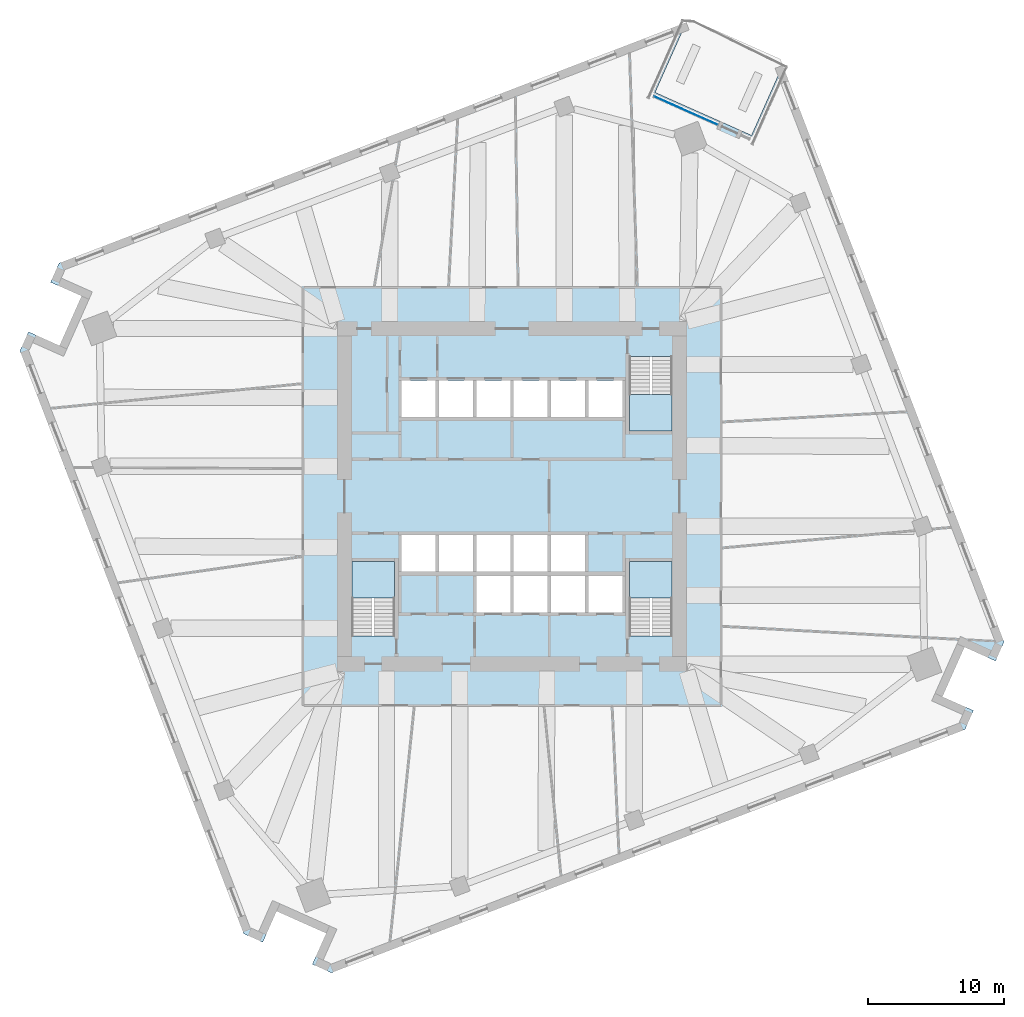
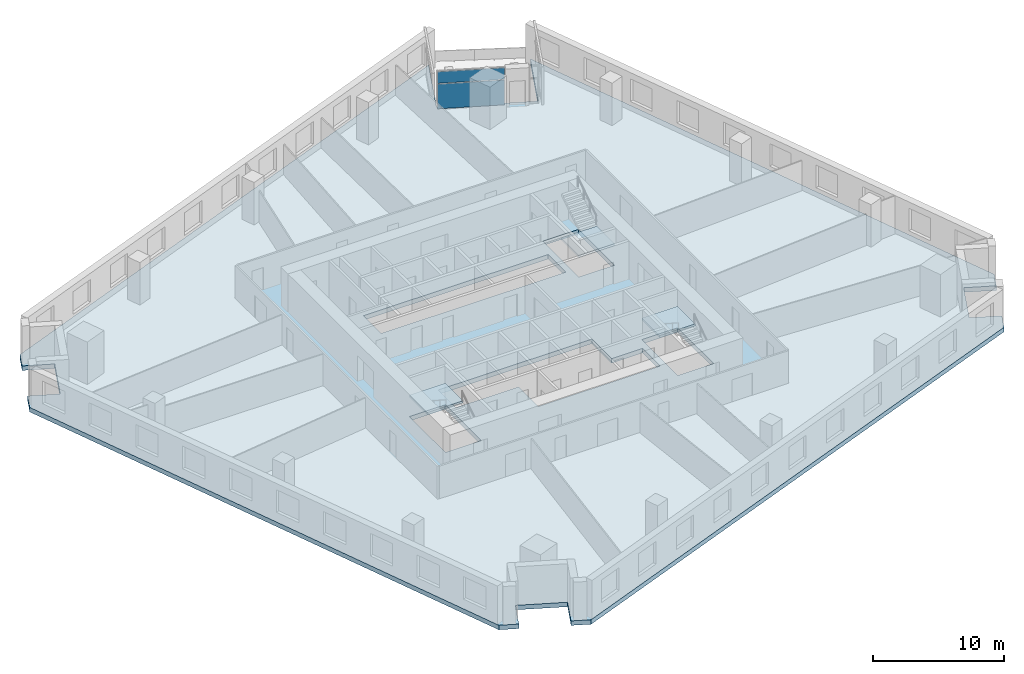
# One storey, part 5 of 14: 4 slabs, 2 plates, 4 elements without a shape of their own.
"""IFC4 building model written with IfcOpenShell, lengths in metres."""

from ifc_helpers import new_model, si_unit, direction, frame, origin, origin_2d, place, context, subcontext, project, spatial, polyline, rectangle, outline, extrude, material, layer, layer_set, type_object, element, aggregate, save


model = new_model("IFC4")

# Units and contexts
model_context = context("Model", 3, precision=1e-05, world=origin(), true_north=direction((0.0, 1.0)))
body_context = subcontext(model_context, "Body", "Model", "MODEL_VIEW")
ifc_project = project(units=[si_unit("LENGTHUNIT", "METRE"), si_unit("AREAUNIT", "SQUARE_METRE"), si_unit("VOLUMEUNIT", "CUBIC_METRE"), si_unit("PLANEANGLEUNIT", "RADIAN"), si_unit("MASSUNIT", "GRAM", prefix="KILO")], contexts=[model_context])

# Site, building, storey
site_placement = place(None, origin())
site = spatial("IfcSite", under=ifc_project, at=site_placement, CompositionType="ELEMENT")
building_placement = place(site_placement, origin())
building = spatial("IfcBuilding", under=site, at=building_placement, Name="Dilmun Exchange Tower", CompositionType="ELEMENT")
storey_placement = place(building_placement, frame((0.0, 0.0, 110.10009765625)))
storey = spatial("IfcBuildingStorey", under=building, at=storey_placement, Name="L25", CompositionType="ELEMENT", Elevation=110.10009765625)

# Stair, slab
ifc_material_1 = material(Name="Concrete C40/50", Category="concrete")
stair_type = type_object("IfcStairType", Name="Exit stair 1500 half-turn", PredefinedType="HALF_TURN_STAIR", material=ifc_material_1)
stair_1_placement = place(storey_placement, origin())
stair_1 = element("IfcStair", 1, at=stair_1_placement, inside=storey, type_object=stair_type, Name="L25 Protected exit stair ST1", PredefinedType="HALF_TURN_STAIR")
ifc_layer_1 = layer(ifc_material_1, 0.199951171875)
ifc_layer_set_1 = layer_set([ifc_layer_1], Name="Concrete C40/50")
slab_type_1 = type_object("IfcSlabType", Name="Exit stair landing 200", PredefinedType="LANDING", material=ifc_layer_set_1)
slab_1_placement = place(storey_placement, frame((0.0, 0.0, 1.7998046875)))
slab_1 = element("IfcSlab", 2, at=slab_1_placement, type_object=slab_type_1, Name="ST1 landing 1", PredefinedType="LANDING", context=body_context, shape_type="SweptSolid", body=[
    extrude(outline(polyline([(8.64990234375, 7.5), (8.64990234375, 4.800048828125), (11.800048828125, 4.800048828125), (11.800048828125, 7.5), (8.64990234375, 7.5)])), origin(), (0.0, 0.0, 1.0), 0.2001953125),
])
aggregate(stair_1, [slab_1])

stair_2_placement = place(storey_placement, origin())
stair_2 = element("IfcStair", 3, at=stair_2_placement, inside=storey, type_object=stair_type, Name="L25 Protected exit stair ST2", PredefinedType="HALF_TURN_STAIR")
slab_2_placement = place(storey_placement, frame((0.0, 0.0, 1.7998046875)))
slab_2 = element("IfcSlab", 4, at=slab_2_placement, type_object=slab_type_1, Name="ST2 landing 1", PredefinedType="LANDING", context=body_context, shape_type="SweptSolid", body=[
    extrude(outline(polyline([(-8.64990234375, -7.5), (-8.64990234375, -4.800048828125), (-11.800048828125, -4.800048828125), (-11.800048828125, -7.5), (-8.64990234375, -7.5)])), origin(), (0.0, 0.0, 1.0), 0.2001953125),
])
aggregate(stair_2, [slab_2])

stair_3_placement = place(storey_placement, origin())
stair_3 = element("IfcStair", 5, at=stair_3_placement, inside=storey, type_object=stair_type, Name="L25 Protected exit stair ST3", PredefinedType="HALF_TURN_STAIR")
slab_3_placement = place(storey_placement, frame((0.0, 0.0, 1.7998046875)))
slab_3 = element("IfcSlab", 6, at=slab_3_placement, type_object=slab_type_1, Name="ST3 landing 1", PredefinedType="LANDING", context=body_context, shape_type="SweptSolid", body=[
    extrude(outline(polyline([(11.800048828125, -7.5), (11.800048828125, -4.800048828125), (8.64990234375, -4.800048828125), (8.64990234375, -7.5), (11.800048828125, -7.5)])), origin(), (0.0, 0.0, 1.0), 0.2001953125),
])
aggregate(stair_3, [slab_3])

# Curtain wall, plates
ifc_material_2 = material(Name="Anodised aluminium and clear glass", Category="aluminium")
curtain_wall_type = type_object("IfcCurtainWallType", Name="Garden corner glazing", PredefinedType="NOTDEFINED", material=ifc_material_2)
curtain_wall_placement = place(storey_placement, origin())
curtain_wall = element("IfcCurtainWall", 7, at=curtain_wall_placement, inside=storey, type_object=curtain_wall_type, Name="Garden corner glazing run GC2.3", PredefinedType="NOTDEFINED")
ifc_material_3 = material(Name="Clear glass", Category="glass")
ifc_layer_2 = layer(ifc_material_3, 0.028076171875)
ifc_layer_set_2 = layer_set([ifc_layer_2], Name="Clear glass")
plate_type = type_object("IfcPlateType", Name="Garden corner glazing glass panel 28", PredefinedType="CURTAIN_PANEL", material=ifc_layer_set_2)
plate_1_placement = place(storey_placement, frame((12.812744140625, 28.42236328125, 0.059814453125), z_axis=(0.0, 0.0, 1.0), x_axis=(-0.913546096719, 0.406735207683, 0.0)))
plate_1 = element("IfcPlate", 8, at=plate_1_placement, type_object=plate_type, Name="GC2.3 panel 1.1", PredefinedType="CURTAIN_PANEL", context=body_context, shape_type="SweptSolid", body=[
    extrude(rectangle(XDim=5.119140625, YDim=0.028076171875, at=origin_2d()), origin(), (0.0, 0.0, 1.0), 2.31005859375),
])
plate_2_placement = place(storey_placement, frame((12.812744140625, 28.42236328125, 2.4296875), z_axis=(0.0, 0.0, 1.0), x_axis=(-0.913546096719, 0.406735207683, 0.0)))
plate_2 = element("IfcPlate", 9, at=plate_2_placement, type_object=plate_type, Name="GC2.3 panel 1.2", PredefinedType="CURTAIN_PANEL", context=body_context, shape_type="SweptSolid", body=[
    extrude(rectangle(XDim=5.119140625, YDim=0.028076171875, at=origin_2d()), origin(), (0.0, 0.0, 1.0), 1.090087890625),
])
aggregate(curtain_wall, [plate_1, plate_2])

# Slab
ifc_layer_3 = layer(ifc_material_1, 0.419921875)
ifc_layer_set_3 = layer_set([ifc_layer_3], Name="Concrete C40/50")
slab_type_2 = type_object("IfcSlabType", Name="RC floor slab 420", PredefinedType="FLOOR", material=ifc_layer_set_3)
slab_4_placement = place(storey_placement, frame((0.0, 0.0, -0.420166015625)))
element("IfcSlab", 10, at=slab_4_placement, inside=storey, type_object=slab_type_2, Name="Floor slab", PredefinedType="FLOOR", context=body_context, shape_type="SweptSolid", body=[
    extrude(outline(polyline([(35.625244140625, -12.1240234375), (33.341552734375, -11.107177734375), (31.714599609375, -14.761474609375), (33.998291015625, -15.7783203125), (33.373779296875, -17.18115234375), (-13.30517578125, -35.099609375), (-14.7080078125, -34.474853515625), (-13.691162109375, -32.19091796875), (-17.34521484375, -30.564208984375), (-18.3623046875, -32.847900390625), (-19.764892578125, -32.223388671875), (-36.25, 10.72119140625), (-35.625244140625, 12.1240234375), (-33.341552734375, 11.107177734375), (-31.714599609375, 14.761474609375), (-33.998291015625, 15.7783203125), (-33.373779296875, 17.18115234375), (12.83837890625, 34.92041015625), (10.541748046875, 29.761962890625), (17.6474609375, 26.598388671875), (19.944091796875, 31.756591796875), (36.25, -10.72119140625), (35.625244140625, -12.1240234375)]), holes=[polyline([(-8.64990234375, -4.800048828125), (-11.800048828125, -4.800048828125), (-11.800048828125, -10.294921875), (-8.64990234375, -10.294921875), (-8.64990234375, -4.800048828125)]), polyline([(11.800048828125, -4.800048828125), (8.64990234375, -4.800048828125), (8.64990234375, -10.294921875), (11.800048828125, -10.294921875), (11.800048828125, -4.800048828125)]), polyline([(-8.125, -2.85009765625), (-8.125, -5.550048828125), (-2.625, -5.550048828125), (-2.625, -8.550048828125), (8.125, -8.550048828125), (8.125, -5.85009765625), (5.375, -5.85009765625), (5.375, -2.85009765625), (-8.125, -2.85009765625)]), polyline([(-8.125, 5.85009765625), (8.125, 5.85009765625), (8.125, 8.550048828125), (-8.125, 8.550048828125), (-8.125, 5.85009765625)]), polyline([(8.64990234375, 10.294921875), (8.64990234375, 4.800048828125), (11.800048828125, 4.800048828125), (11.800048828125, 10.294921875), (8.64990234375, 10.294921875)])]), origin(), (0.0, 0.0, 1.0), 0.420166015625),
])

save(model, "model.ifc")
